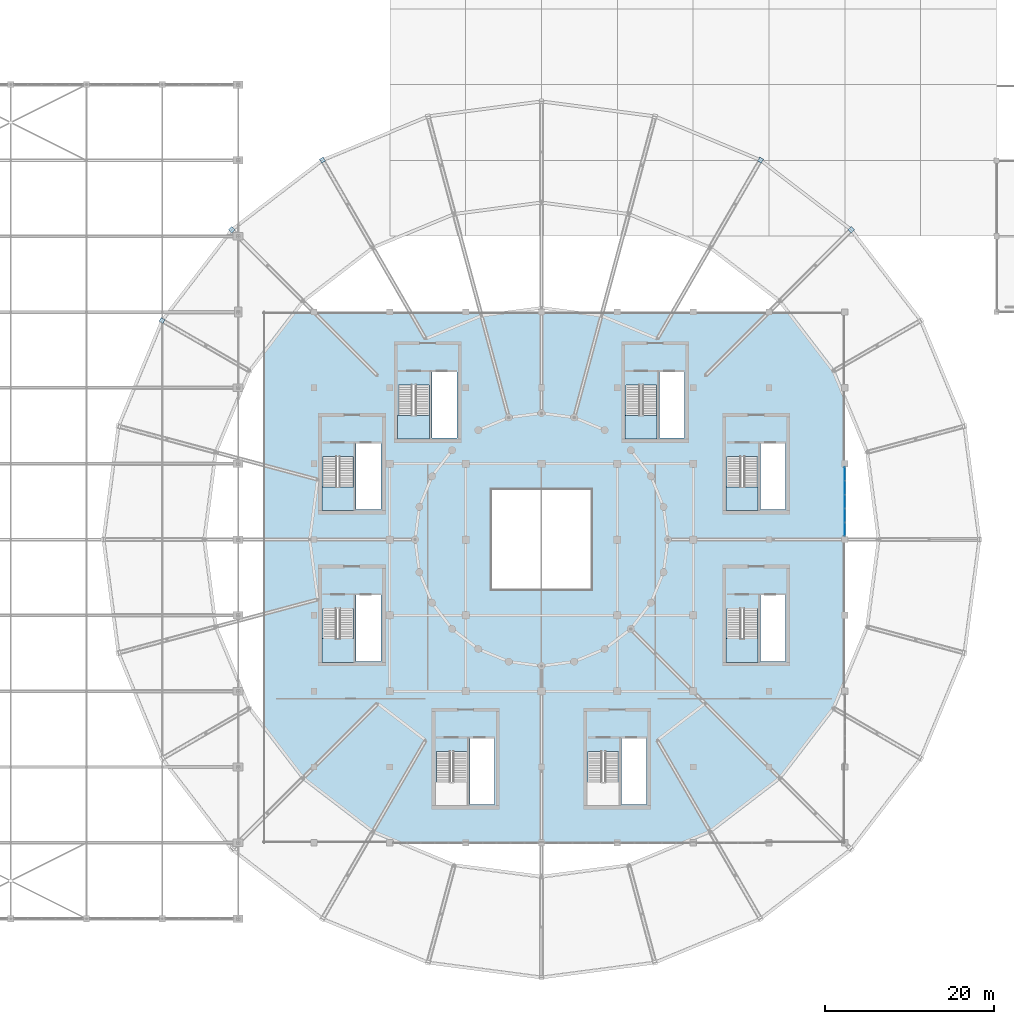
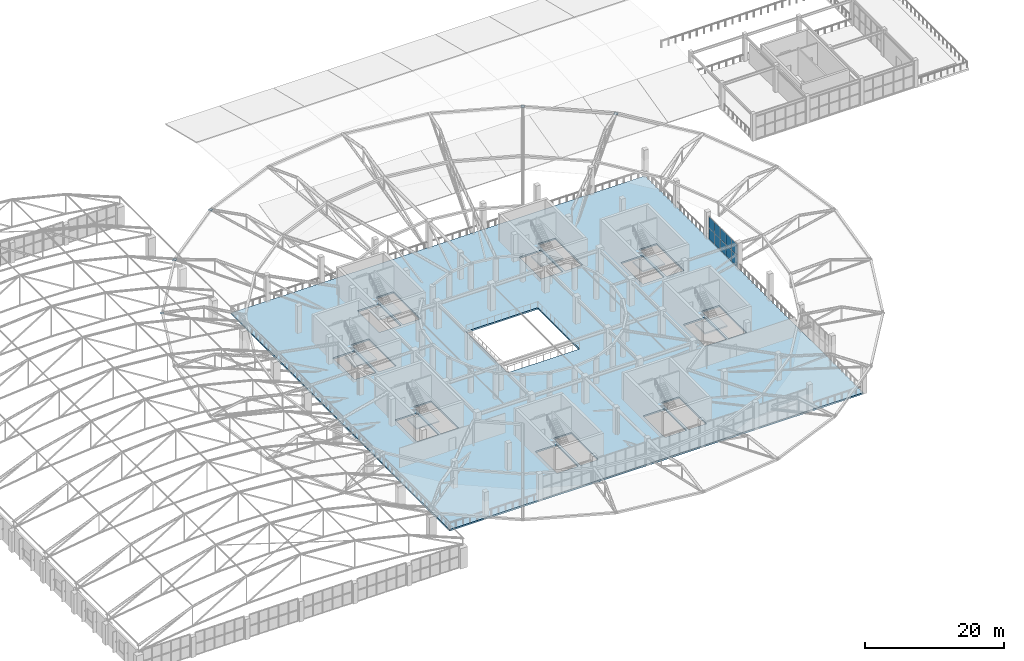
# One storey, part 120 of 167: 15 plates, 7 slabs, 7 elements without a shape of their own.
"""IFC4 building model written with IfcOpenShell, lengths in metres."""

from ifc_helpers import new_model, si_unit, direction, frame, origin, origin_2d, place, context, subcontext, project, spatial, polyline, rectangle, outline, extrude, material, layer, layer_set, type_object, element, aggregate, save


model = new_model("IFC4")

# Units and contexts
model_context = context("Model", 3, precision=1e-05, world=origin(), true_north=direction((0.0, 1.0)))
body_context = subcontext(model_context, "Body", "Model", "MODEL_VIEW")
ifc_project = project(units=[si_unit("LENGTHUNIT", "METRE"), si_unit("AREAUNIT", "SQUARE_METRE"), si_unit("VOLUMEUNIT", "CUBIC_METRE"), si_unit("PLANEANGLEUNIT", "RADIAN"), si_unit("MASSUNIT", "GRAM", prefix="KILO")], contexts=[model_context])

# Site, building, storey
site_placement = place(None, origin())
site = spatial("IfcSite", under=ifc_project, at=site_placement, CompositionType="ELEMENT")
building_placement = place(site_placement, origin())
building = spatial("IfcBuilding", under=site, at=building_placement, Name="Dornveld Trade and Exhibition Forum", CompositionType="ELEMENT")
storey_placement = place(building_placement, frame((0.0, 0.0, 16.800048828125)))
storey = spatial("IfcBuildingStorey", under=building, at=storey_placement, Name="L03", CompositionType="ELEMENT", Elevation=16.800048828125)

# Curtain wall, plates
ifc_material_1 = material(Name="Dark-bronze anodised aluminium and low-E glass", Category="aluminium")
ifc_layer_1 = layer(ifc_material_1, 0.175048828125)
ifc_layer_set_1 = layer_set([ifc_layer_1], Name="Dark-bronze anodised aluminium and low-E glass")
curtain_wall_type = type_object("IfcCurtainWallType", Name="CW-SYS-11", PredefinedType="USERDEFINED", material=ifc_layer_set_1)
curtain_wall_placement = place(storey_placement, origin())
curtain_wall = element("IfcCurtainWall", 1, at=curtain_wall_placement, inside=storey, type_object=curtain_wall_type, Name="L03 unitised curtain wall 65", ObjectType="UNITISED_CURTAIN_WALL", PredefinedType="USERDEFINED")
ifc_material_2 = material(Name="Double-glazed low-E solar control glass", Category="glass")
ifc_layer_2 = layer(ifc_material_2, 0.02587890625)
ifc_layer_set_2 = layer_set([ifc_layer_2], Name="Double-glazed low-E solar control glass")
plate_type_1 = type_object("IfcPlateType", Name="CW-PNL-01", PredefinedType="CURTAIN_PANEL", material=ifc_layer_set_2)
plate_1_placement = place(storey_placement, frame((153.0, 82.2119140625, 0.055908203125), z_axis=(0.0, 0.0, 1.0), x_axis=(0.0, 1.0, 0.0)))
plate_1 = element("IfcPlate", 2, at=plate_1_placement, type_object=plate_type_1, Name="CW-11 panel 1.1", PredefinedType="CURTAIN_PANEL", context=body_context, shape_type="SweptSolid", body=[
    extrude(rectangle(XDim=1.5615234375, YDim=0.02587890625, at=origin_2d()), origin(), (0.0, 0.0, 1.0), 1.94189453125),
])
plate_2_placement = place(storey_placement, frame((153.0, 82.2119140625, 2.05810546875), z_axis=(0.0, 0.0, 1.0), x_axis=(0.0, 1.0, 0.0)))
plate_2 = element("IfcPlate", 3, at=plate_2_placement, type_object=plate_type_1, Name="CW-11 panel 1.2", PredefinedType="CURTAIN_PANEL", context=body_context, shape_type="SweptSolid", body=[
    extrude(rectangle(XDim=1.5615234375, YDim=0.02587890625, at=origin_2d()), origin(), (0.0, 0.0, 1.0), 1.94189453125),
])
plate_3_placement = place(storey_placement, frame((153.0, 83.848388671875, 0.055908203125), z_axis=(0.0, 0.0, 1.0), x_axis=(0.0, 1.0, 0.0)))
plate_3 = element("IfcPlate", 4, at=plate_3_placement, type_object=plate_type_1, Name="CW-11 panel 2.1", PredefinedType="CURTAIN_PANEL", context=body_context, shape_type="SweptSolid", body=[
    extrude(rectangle(XDim=1.591552734375, YDim=0.02587890625, at=origin_2d()), origin(), (0.0, 0.0, 1.0), 1.94189453125),
])
plate_4_placement = place(storey_placement, frame((153.0, 83.848388671875, 2.05810546875), z_axis=(0.0, 0.0, 1.0), x_axis=(0.0, 1.0, 0.0)))
plate_4 = element("IfcPlate", 5, at=plate_4_placement, type_object=plate_type_1, Name="CW-11 panel 2.2", PredefinedType="CURTAIN_PANEL", context=body_context, shape_type="SweptSolid", body=[
    extrude(rectangle(XDim=1.591552734375, YDim=0.02587890625, at=origin_2d()), origin(), (0.0, 0.0, 1.0), 1.94189453125),
])
plate_5_placement = place(storey_placement, frame((153.0, 85.5, 0.055908203125), z_axis=(0.0, 0.0, 1.0), x_axis=(0.0, 1.0, 0.0)))
plate_5 = element("IfcPlate", 6, at=plate_5_placement, type_object=plate_type_1, Name="CW-11 panel 3.1", PredefinedType="CURTAIN_PANEL", context=body_context, shape_type="SweptSolid", body=[
    extrude(rectangle(XDim=1.591552734375, YDim=0.02587890625, at=origin_2d()), origin(), (0.0, 0.0, 1.0), 1.94189453125),
])
plate_6_placement = place(storey_placement, frame((153.0, 85.5, 2.05810546875), z_axis=(0.0, 0.0, 1.0), x_axis=(0.0, 1.0, 0.0)))
plate_6 = element("IfcPlate", 7, at=plate_6_placement, type_object=plate_type_1, Name="CW-11 panel 3.2", PredefinedType="CURTAIN_PANEL", context=body_context, shape_type="SweptSolid", body=[
    extrude(rectangle(XDim=1.591552734375, YDim=0.02587890625, at=origin_2d()), origin(), (0.0, 0.0, 1.0), 1.94189453125),
])
plate_7_placement = place(storey_placement, frame((153.0, 87.151611328125, 0.055908203125), z_axis=(0.0, 0.0, 1.0), x_axis=(0.0, 1.0, 0.0)))
plate_7 = element("IfcPlate", 8, at=plate_7_placement, type_object=plate_type_1, Name="CW-11 panel 4.1", PredefinedType="CURTAIN_PANEL", context=body_context, shape_type="SweptSolid", body=[
    extrude(rectangle(XDim=1.591552734375, YDim=0.02587890625, at=origin_2d()), origin(), (0.0, 0.0, 1.0), 1.94189453125),
])
plate_8_placement = place(storey_placement, frame((153.0, 87.151611328125, 2.05810546875), z_axis=(0.0, 0.0, 1.0), x_axis=(0.0, 1.0, 0.0)))
plate_8 = element("IfcPlate", 9, at=plate_8_placement, type_object=plate_type_1, Name="CW-11 panel 4.2", PredefinedType="CURTAIN_PANEL", context=body_context, shape_type="SweptSolid", body=[
    extrude(rectangle(XDim=1.591552734375, YDim=0.02587890625, at=origin_2d()), origin(), (0.0, 0.0, 1.0), 1.94189453125),
])
plate_9_placement = place(storey_placement, frame((153.0, 88.7880859375, 0.055908203125), z_axis=(0.0, 0.0, 1.0), x_axis=(0.0, 1.0, 0.0)))
plate_9 = element("IfcPlate", 10, at=plate_9_placement, type_object=plate_type_1, Name="CW-11 panel 5.1", PredefinedType="CURTAIN_PANEL", context=body_context, shape_type="SweptSolid", body=[
    extrude(rectangle(XDim=1.5615234375, YDim=0.02587890625, at=origin_2d()), origin(), (0.0, 0.0, 1.0), 1.94189453125),
])
plate_10_placement = place(storey_placement, frame((153.0, 88.7880859375, 2.05810546875), z_axis=(0.0, 0.0, 1.0), x_axis=(0.0, 1.0, 0.0)))
plate_10 = element("IfcPlate", 11, at=plate_10_placement, type_object=plate_type_1, Name="CW-11 panel 5.2", PredefinedType="CURTAIN_PANEL", context=body_context, shape_type="SweptSolid", body=[
    extrude(rectangle(XDim=1.5615234375, YDim=0.02587890625, at=origin_2d()), origin(), (0.0, 0.0, 1.0), 1.94189453125),
])
aggregate(curtain_wall, [plate_1, plate_2, plate_3, plate_4, plate_5, plate_6, plate_7, plate_8, plate_9, plate_10])

# Plates
ifc_material_3 = material(Name="Steel S355J2", Category="steel")
ifc_layer_3 = layer(ifc_material_3, 0.02001953125)
ifc_layer_set_3 = layer_set([ifc_layer_3], Name="Steel S355J2")
plate_type_2 = type_object("IfcPlateType", Name="PL-CAP-520x20", PredefinedType="SHEET", material=ifc_layer_set_3)
for number, where, z_axis, x_axis, name in (
    (12, (153.76953125, 117.76953125, 4.7900390625), (0.0, 0.0, 1.0), (0.707106781187, 0.707106781187, 0.0), "Floating disc tip closure plate 4"),
    (13, (143.0, 126.033203125, 4.7900390625), (0.0, 0.0, 1.0), (0.5, 0.866025403784, 0.0), "Floating disc tip closure plate 5"),
    (14, (91.0, 126.033203125, 4.7900390625), (0.0, 0.0, 1.0), (-0.5, 0.866025403784, 0.0), "Floating disc tip closure plate 9"),
    (15, (80.23046875, 117.76953125, 4.7900390625), (0.0, 0.0, 1.0), (-0.707106781187, 0.707106781187, 0.0), "Floating disc tip closure plate 10"),
    (16, (71.966796875, 107.0, 4.7900390625), (0.0, 0.0, 1.0), (-0.866025403784, 0.5, 0.0), "Floating disc tip closure plate 11"),
):
    element("IfcPlate", number, at=place(storey_placement, frame(where, z_axis=z_axis, x_axis=x_axis)), inside=storey, type_object=plate_type_2, Name=name, PredefinedType="SHEET", context=body_context, shape_type="SweptSolid", body=[
        extrude(rectangle(XDim=0.52001953125, YDim=0.52001953125, at=origin_2d()), origin(), (0.0, 0.0, 1.0), 0.02001953125),
    ])

# Slab
ifc_material_4 = material(Name="Precast concrete C50/60", Category="concrete")
ifc_layer_4 = layer(ifc_material_4, 0.300048828125)
ifc_layer_set_4 = layer_set([ifc_layer_4], Name="Precast concrete C50/60")
slab_type_1 = type_object("IfcSlabType", Name="SL-CONC-300", PredefinedType="FLOOR", material=ifc_layer_set_4)
slab_1_placement = place(storey_placement, frame((0.0, 0.0, -0.280029296875)))
element("IfcSlab", 17, at=slab_1_placement, inside=storey, type_object=slab_type_1, Name="L03 structural slab panel 69", PredefinedType="FLOOR", context=body_context, shape_type="SweptSolid", body=[
    extrude(outline(polyline([(84.0, 45.0), (153.0, 45.0), (153.0, 108.0), (84.0, 108.0), (84.0, 45.0)]), holes=[polyline([(139.050048828125, 84.550048828125), (142.64990234375, 84.550048828125), (142.64990234375, 90.830078125), (139.050048828125, 90.830078125), (139.050048828125, 84.550048828125)]), polyline([(143.0, 84.550048828125), (145.949951171875, 84.550048828125), (145.949951171875, 92.39990234375), (143.0, 92.39990234375), (143.0, 84.550048828125)]), polyline([(127.050048828125, 93.050048828125), (130.64990234375, 93.050048828125), (130.64990234375, 99.330078125), (127.050048828125, 99.330078125), (127.050048828125, 93.050048828125)]), polyline([(131.0, 93.050048828125), (133.949951171875, 93.050048828125), (133.949951171875, 100.89990234375), (131.0, 100.89990234375), (131.0, 93.050048828125)]), polyline([(100.050048828125, 93.050048828125), (103.64990234375, 93.050048828125), (103.64990234375, 99.330078125), (100.050048828125, 99.330078125), (100.050048828125, 93.050048828125)]), polyline([(104.0, 93.050048828125), (106.949951171875, 93.050048828125), (106.949951171875, 100.89990234375), (104.0, 100.89990234375), (104.0, 93.050048828125)]), polyline([(91.050048828125, 84.550048828125), (94.64990234375, 84.550048828125), (94.64990234375, 90.830078125), (91.050048828125, 90.830078125), (91.050048828125, 84.550048828125)]), polyline([(95.0, 84.550048828125), (97.949951171875, 84.550048828125), (97.949951171875, 92.39990234375), (95.0, 92.39990234375), (95.0, 84.550048828125)]), polyline([(91.050048828125, 66.550048828125), (94.64990234375, 66.550048828125), (94.64990234375, 72.830078125), (91.050048828125, 72.830078125), (91.050048828125, 66.550048828125)]), polyline([(95.0, 66.550048828125), (97.949951171875, 66.550048828125), (97.949951171875, 74.39990234375), (95.0, 74.39990234375), (95.0, 66.550048828125)]), polyline([(104.550048828125, 49.550048828125), (108.14990234375, 49.550048828125), (108.14990234375, 55.830078125), (104.550048828125, 55.830078125), (104.550048828125, 49.550048828125)]), polyline([(108.5, 49.550048828125), (111.449951171875, 49.550048828125), (111.449951171875, 57.39990234375), (108.5, 57.39990234375), (108.5, 49.550048828125)]), polyline([(122.550048828125, 49.550048828125), (126.14990234375, 49.550048828125), (126.14990234375, 55.830078125), (122.550048828125, 55.830078125), (122.550048828125, 49.550048828125)]), polyline([(126.5, 49.550048828125), (129.449951171875, 49.550048828125), (129.449951171875, 57.39990234375), (126.5, 57.39990234375), (126.5, 49.550048828125)]), polyline([(139.050048828125, 66.550048828125), (142.64990234375, 66.550048828125), (142.64990234375, 72.830078125), (139.050048828125, 72.830078125), (139.050048828125, 66.550048828125)]), polyline([(143.0, 66.550048828125), (145.949951171875, 66.550048828125), (145.949951171875, 74.39990234375), (143.0, 74.39990234375), (143.0, 66.550048828125)]), polyline([(111.0, 75.0), (123.0, 75.0), (123.0, 87.0), (111.0, 87.0), (111.0, 75.0)])]), origin(), (0.0, 0.0, 1.0), 0.280029296875),
])

# Stair, slab
ifc_material_5 = material(Name="Concrete C40/50", Category="concrete")
stair_type_1 = type_object("IfcStairType", Name="ST-2RET-480A", PredefinedType="HALF_TURN_STAIR", material=ifc_material_5)
stair_1_placement = place(storey_placement, origin())
stair_1 = element("IfcStair", 18, at=stair_1_placement, inside=storey, type_object=stair_type_1, Name="CORE-01 escape stair L03 to L04", PredefinedType="HALF_TURN_STAIR")
ifc_material_6 = material(Name="Concrete C40/50", Category="concrete")
ifc_layer_5 = layer(ifc_material_6, 0.199951171875)
ifc_layer_set_5 = layer_set([ifc_layer_5], Name="Concrete C40/50")
slab_type_2 = type_object("IfcSlabType", Name="SL-LAND-200", PredefinedType="LANDING", material=ifc_layer_set_5)
slab_2_placement = place(storey_placement, frame((0.0, 0.0, 2.199951171875)))
slab_2 = element("IfcSlab", 19, at=slab_2_placement, type_object=slab_type_2, Name="ST-01-L03 landing 1", PredefinedType="LANDING", context=body_context, shape_type="SweptSolid", body=[
    extrude(outline(polyline([(138.925048828125, 84.425048828125), (142.719970703125, 84.425048828125), (142.719970703125, 87.235107421875), (138.925048828125, 87.235107421875), (138.925048828125, 84.425048828125)])), origin(), (0.0, 0.0, 1.0), 0.199951171875),
])
aggregate(stair_1, [slab_2])

stair_2_placement = place(storey_placement, origin())
stair_2 = element("IfcStair", 20, at=stair_2_placement, inside=storey, type_object=stair_type_1, Name="CORE-03 escape stair L03 to L04", PredefinedType="HALF_TURN_STAIR")
slab_3_placement = place(storey_placement, frame((0.0, 0.0, 2.199951171875)))
slab_3 = element("IfcSlab", 21, at=slab_3_placement, type_object=slab_type_2, Name="ST-03-L03 landing 1", PredefinedType="LANDING", context=body_context, shape_type="SweptSolid", body=[
    extrude(outline(polyline([(99.925048828125, 92.925048828125), (103.719970703125, 92.925048828125), (103.719970703125, 95.735107421875), (99.925048828125, 95.735107421875), (99.925048828125, 92.925048828125)])), origin(), (0.0, 0.0, 1.0), 0.199951171875),
])
aggregate(stair_2, [slab_3])

stair_3_placement = place(storey_placement, origin())
stair_3 = element("IfcStair", 22, at=stair_3_placement, inside=storey, type_object=stair_type_1, Name="CORE-05 escape stair L03 to L04", PredefinedType="HALF_TURN_STAIR")
slab_4_placement = place(storey_placement, frame((0.0, 0.0, 2.199951171875)))
slab_4 = element("IfcSlab", 23, at=slab_4_placement, type_object=slab_type_2, Name="ST-05-L03 landing 1", PredefinedType="LANDING", context=body_context, shape_type="SweptSolid", body=[
    extrude(outline(polyline([(90.925048828125, 66.425048828125), (94.719970703125, 66.425048828125), (94.719970703125, 69.235107421875), (90.925048828125, 69.235107421875), (90.925048828125, 66.425048828125)])), origin(), (0.0, 0.0, 1.0), 0.199951171875),
])
aggregate(stair_3, [slab_4])

ifc_material_7 = material(Name="Concrete C40/50", Category="concrete")
stair_type_2 = type_object("IfcStairType", Name="ST-2RET-480B", PredefinedType="HALF_TURN_STAIR", material=ifc_material_7)
stair_4_placement = place(storey_placement, origin())
stair_4 = element("IfcStair", 24, at=stair_4_placement, inside=storey, type_object=stair_type_2, Name="CORE-02 escape stair L03 to L04", PredefinedType="HALF_TURN_STAIR")
ifc_material_8 = material(Name="Concrete C40/50", Category="concrete")
ifc_layer_6 = layer(ifc_material_8, 0.219970703125)
ifc_layer_set_6 = layer_set([ifc_layer_6], Name="Concrete C40/50")
slab_type_3 = type_object("IfcSlabType", Name="SL-LAND-220", PredefinedType="LANDING", material=ifc_layer_set_6)
slab_5_placement = place(storey_placement, frame((0.0, 0.0, 2.179931640625)))
slab_5 = element("IfcSlab", 25, at=slab_5_placement, type_object=slab_type_3, Name="ST-02-L03 landing 1", PredefinedType="LANDING", context=body_context, shape_type="SweptSolid", body=[
    extrude(outline(polyline([(126.925048828125, 92.925048828125), (130.719970703125, 92.925048828125), (130.719970703125, 95.735107421875), (126.925048828125, 95.735107421875), (126.925048828125, 92.925048828125)])), origin(), (0.0, 0.0, 1.0), 0.219970703125),
])
aggregate(stair_4, [slab_5])

stair_5_placement = place(storey_placement, origin())
stair_5 = element("IfcStair", 26, at=stair_5_placement, inside=storey, type_object=stair_type_2, Name="CORE-04 escape stair L03 to L04", PredefinedType="HALF_TURN_STAIR")
slab_6_placement = place(storey_placement, frame((0.0, 0.0, 2.179931640625)))
slab_6 = element("IfcSlab", 27, at=slab_6_placement, type_object=slab_type_3, Name="ST-04-L03 landing 1", PredefinedType="LANDING", context=body_context, shape_type="SweptSolid", body=[
    extrude(outline(polyline([(90.925048828125, 84.425048828125), (94.719970703125, 84.425048828125), (94.719970703125, 87.235107421875), (90.925048828125, 87.235107421875), (90.925048828125, 84.425048828125)])), origin(), (0.0, 0.0, 1.0), 0.219970703125),
])
aggregate(stair_5, [slab_6])

stair_6_placement = place(storey_placement, origin())
stair_6 = element("IfcStair", 28, at=stair_6_placement, inside=storey, type_object=stair_type_2, Name="CORE-08 escape stair L03 to L04", PredefinedType="HALF_TURN_STAIR")
slab_7_placement = place(storey_placement, frame((0.0, 0.0, 2.179931640625)))
slab_7 = element("IfcSlab", 29, at=slab_7_placement, type_object=slab_type_3, Name="ST-08-L03 landing 1", PredefinedType="LANDING", context=body_context, shape_type="SweptSolid", body=[
    extrude(outline(polyline([(138.925048828125, 66.425048828125), (142.719970703125, 66.425048828125), (142.719970703125, 69.235107421875), (138.925048828125, 69.235107421875), (138.925048828125, 66.425048828125)])), origin(), (0.0, 0.0, 1.0), 0.219970703125),
])
aggregate(stair_6, [slab_7])

save(model, "model.ifc")
